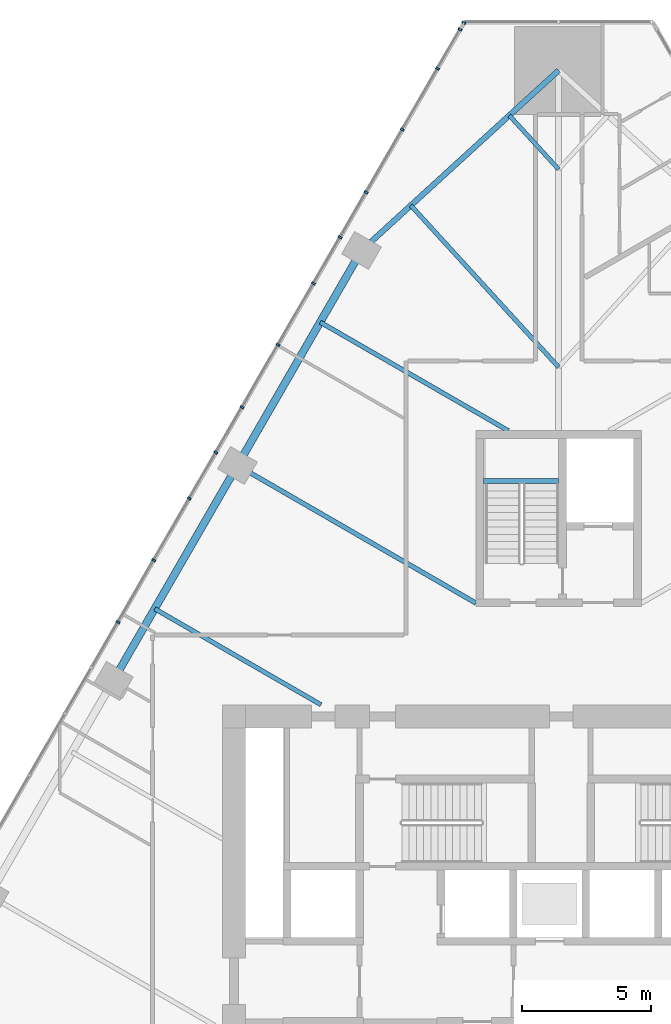
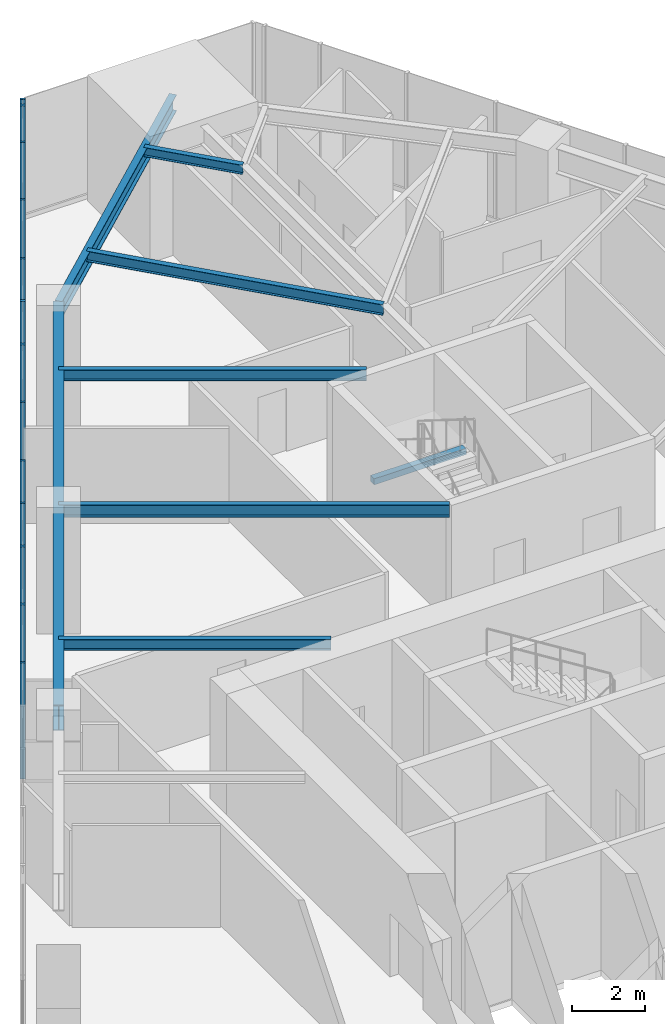
# One storey, part 10 of 29: 13 members, 8 beams, 1 element without a shape of its own.
"""IFC4 building model written with IfcOpenShell, lengths in metres."""

from ifc_helpers import new_model, si_unit, direction, frame, origin, origin_2d, place, context, subcontext, project, spatial, rectangle, i_section, extrude, material, layer, layer_set, material_profile, profile_set, type_object, element, aggregate, save


model = new_model("IFC4")

# Units and contexts
model_context = context("Model", 3, precision=1e-05, world=origin(), true_north=direction((0.0, 1.0)))
body_context = subcontext(model_context, "Body", "Model", "MODEL_VIEW")
ifc_project = project(units=[si_unit("LENGTHUNIT", "METRE"), si_unit("AREAUNIT", "SQUARE_METRE"), si_unit("VOLUMEUNIT", "CUBIC_METRE"), si_unit("PLANEANGLEUNIT", "RADIAN"), si_unit("MASSUNIT", "GRAM", prefix="KILO")], contexts=[model_context])

# Site, building, storey
site_placement = place(None, origin())
site = spatial("IfcSite", under=ifc_project, at=site_placement, CompositionType="ELEMENT")
building_placement = place(site_placement, origin())
building = spatial("IfcBuilding", under=site, at=building_placement, Name="Firuza Gate Tower and Library", CompositionType="ELEMENT")
storey_placement = place(building_placement, frame((0.0, 0.0, 44.199951171875)))
storey = spatial("IfcBuildingStorey", under=building, at=storey_placement, Name="L09", CompositionType="ELEMENT", Elevation=44.199951171875)

# Curtain wall, members
ifc_material_1 = material(Name="Aluminium 6063-T6", Category="aluminium")
ifc_layer = layer(ifc_material_1, 0.14990234375)
ifc_layer_set = layer_set([ifc_layer], Name="Unitised curtain wall, offices")
curtain_wall_type = type_object("IfcCurtainWallType", Name="Unitised curtain wall, offices", PredefinedType="NOTDEFINED", material=ifc_layer_set)
curtain_wall_placement = place(storey_placement, origin())
curtain_wall = element("IfcCurtainWall", 1, at=curtain_wall_placement, inside=storey, type_object=curtain_wall_type, Name="CW1 L09 W face", PredefinedType="NOTDEFINED")
ifc_material_2 = material(Name="Aluminium 6063-T6", Category="aluminium")
ifc_material_profile_1 = material_profile(ifc_material_2, rectangle(XDim=0.14990234375, YDim=0.080078125, at=origin_2d()))
ifc_profile_set_1 = profile_set([ifc_material_profile_1], Name="Aluminium 6063-T6")
member_type = type_object("IfcMemberType", Name="Curtain wall mullion 80x150", PredefinedType="MULLION", material=ifc_profile_set_1)
member_1_placement = place(storey_placement, frame((71.336669921875, 110.374267578125, 0.150146484375), z_axis=(0.0, 0.0, 1.0), x_axis=(0.866025403784, -0.5, 0.0)))
member_1 = element("IfcMember", 2, at=member_1_placement, type_object=member_type, Name="Mullion", PredefinedType="MULLION", context=body_context, shape_type="SweptSolid", body=[
    extrude(rectangle(XDim=0.14990234375, YDim=0.080078125, at=origin_2d()), origin(), (0.0, 0.0, 1.0), 3.849853515625),
])
member_2_placement = place(storey_placement, frame((68.953125, 106.24560546875, 0.150146484375), z_axis=(0.0, 0.0, 1.0), x_axis=(0.866025403784, -0.5, 0.0)))
member_2 = element("IfcMember", 3, at=member_2_placement, type_object=member_type, Name="Mullion", PredefinedType="MULLION", context=body_context, shape_type="SweptSolid", body=[
    extrude(rectangle(XDim=0.14990234375, YDim=0.080078125, at=origin_2d()), origin(), (0.0, 0.0, 1.0), 3.849853515625),
])
member_3_placement = place(storey_placement, frame((66.549560546875, 102.08251953125, 0.150146484375), z_axis=(0.0, 0.0, 1.0), x_axis=(0.866025403784, -0.5, 0.0)))
member_3 = element("IfcMember", 4, at=member_3_placement, type_object=member_type, Name="Mullion", PredefinedType="MULLION", context=body_context, shape_type="SweptSolid", body=[
    extrude(rectangle(XDim=0.14990234375, YDim=0.080078125, at=origin_2d()), origin(), (0.0, 0.0, 1.0), 3.849853515625),
])
member_4_placement = place(storey_placement, frame((64.145751953125, 97.91943359375, 0.150146484375), z_axis=(0.0, 0.0, 1.0), x_axis=(0.866025403784, -0.5, 0.0)))
member_4 = element("IfcMember", 5, at=member_4_placement, type_object=member_type, Name="Mullion", PredefinedType="MULLION", context=body_context, shape_type="SweptSolid", body=[
    extrude(rectangle(XDim=0.14990234375, YDim=0.080078125, at=origin_2d()), origin(), (0.0, 0.0, 1.0), 3.849853515625),
])
member_5_placement = place(storey_placement, frame((61.7421875, 93.756103515625, 0.150146484375), z_axis=(0.0, 0.0, 1.0), x_axis=(0.866025403784, -0.5, 0.0)))
member_5 = element("IfcMember", 6, at=member_5_placement, type_object=member_type, Name="Mullion", PredefinedType="MULLION", context=body_context, shape_type="SweptSolid", body=[
    extrude(rectangle(XDim=0.14990234375, YDim=0.080078125, at=origin_2d()), origin(), (0.0, 0.0, 1.0), 3.849853515625),
])
member_6_placement = place(storey_placement, frame((59.338623046875, 89.593017578125, 0.150146484375), z_axis=(0.0, 0.0, 1.0), x_axis=(0.866025403784, -0.5, 0.0)))
member_6 = element("IfcMember", 7, at=member_6_placement, type_object=member_type, Name="Mullion", PredefinedType="MULLION", context=body_context, shape_type="SweptSolid", body=[
    extrude(rectangle(XDim=0.14990234375, YDim=0.080078125, at=origin_2d()), origin(), (0.0, 0.0, 1.0), 3.849853515625),
])
member_7_placement = place(storey_placement, frame((71.191162109375, 110.1220703125, 0.150146484375), z_axis=(0.0, 0.0, 1.0), x_axis=(0.866025403784, -0.5, 0.0)))
member_7 = element("IfcMember", 8, at=member_7_placement, type_object=member_type, Name="Mullion", PredefinedType="MULLION", context=body_context, shape_type="SweptSolid", body=[
    extrude(rectangle(XDim=0.14990234375, YDim=0.080078125, at=origin_2d()), origin(), (0.0, 0.0, 1.0), 3.849853515625),
])
member_8_placement = place(storey_placement, frame((70.316162109375, 108.606689453125, 0.150146484375), z_axis=(0.0, 0.0, 1.0), x_axis=(0.866025403784, -0.5, 0.0)))
member_8 = element("IfcMember", 9, at=member_8_placement, type_object=member_type, Name="Mullion", PredefinedType="MULLION", context=body_context, shape_type="SweptSolid", body=[
    extrude(rectangle(XDim=0.14990234375, YDim=0.080078125, at=origin_2d()), origin(), (0.0, 0.0, 1.0), 3.849853515625),
])
member_9_placement = place(storey_placement, frame((67.553955078125, 103.822021484375, 0.150146484375), z_axis=(0.0, 0.0, 1.0), x_axis=(0.866025403784, -0.5, 0.0)))
member_9 = element("IfcMember", 10, at=member_9_placement, type_object=member_type, Name="Mullion", PredefinedType="MULLION", context=body_context, shape_type="SweptSolid", body=[
    extrude(rectangle(XDim=0.14990234375, YDim=0.080078125, at=origin_2d()), origin(), (0.0, 0.0, 1.0), 3.849853515625),
])
member_10_placement = place(storey_placement, frame((65.516357421875, 100.29296875, 0.150146484375), z_axis=(0.0, 0.0, 1.0), x_axis=(0.866025403784, -0.5, 0.0)))
member_10 = element("IfcMember", 11, at=member_10_placement, type_object=member_type, Name="Mullion", PredefinedType="MULLION", context=body_context, shape_type="SweptSolid", body=[
    extrude(rectangle(XDim=0.14990234375, YDim=0.080078125, at=origin_2d()), origin(), (0.0, 0.0, 1.0), 3.849853515625),
])
member_11_placement = place(storey_placement, frame((62.75390625, 95.50830078125, 0.150146484375), z_axis=(0.0, 0.0, 1.0), x_axis=(0.866025403784, -0.5, 0.0)))
member_11 = element("IfcMember", 12, at=member_11_placement, type_object=member_type, Name="Mullion", PredefinedType="MULLION", context=body_context, shape_type="SweptSolid", body=[
    extrude(rectangle(XDim=0.14990234375, YDim=0.080078125, at=origin_2d()), origin(), (0.0, 0.0, 1.0), 3.849853515625),
])
member_12_placement = place(storey_placement, frame((60.71630859375, 91.97900390625, 0.150146484375), z_axis=(0.0, 0.0, 1.0), x_axis=(0.866025403784, -0.5, 0.0)))
member_12 = element("IfcMember", 13, at=member_12_placement, type_object=member_type, Name="Mullion", PredefinedType="MULLION", context=body_context, shape_type="SweptSolid", body=[
    extrude(rectangle(XDim=0.14990234375, YDim=0.080078125, at=origin_2d()), origin(), (0.0, 0.0, 1.0), 3.849853515625),
])
member_13_placement = place(storey_placement, frame((57.953857421875, 87.1943359375, 0.150146484375), z_axis=(0.0, 0.0, 1.0), x_axis=(0.866025403784, -0.5, 0.0)))
member_13 = element("IfcMember", 14, at=member_13_placement, type_object=member_type, Name="Mullion", PredefinedType="MULLION", context=body_context, shape_type="SweptSolid", body=[
    extrude(rectangle(XDim=0.14990234375, YDim=0.080078125, at=origin_2d()), origin(), (0.0, 0.0, 1.0), 3.849853515625),
])
aggregate(curtain_wall, [member_1, member_2, member_3, member_4, member_5, member_6, member_7, member_8, member_9, member_10, member_11, member_12, member_13])

# Beams
ifc_material_3 = material(Name="Concrete C35/45", Category="concrete")
ifc_material_profile_2 = material_profile(ifc_material_3, rectangle(XDim=0.199951171875, YDim=0.199951171875, at=origin_2d()))
ifc_profile_set_2 = profile_set([ifc_material_profile_2], Name="Concrete C35/45")
beam_type_1 = type_object("IfcBeamType", Name="Stair landing bearer 200x200", PredefinedType="BEAM", material=ifc_profile_set_2)
beam_1_placement = place(storey_placement, frame((75.0, 92.64990234375, 1.800048828125), z_axis=(-1.0, 0.0, 0.0), x_axis=(0.0, -1.0, 0.0)))
element("IfcBeam", 15, at=beam_1_placement, inside=storey, type_object=beam_type_1, Name="Landing bearer L09 stair 3", PredefinedType="BEAM", context=body_context, shape_type="SweptSolid", body=[
    extrude(rectangle(XDim=0.199951171875, YDim=0.199951171875, at=origin_2d()), origin(), (0.0, 0.0, 1.0), 2.89990234375),
])
ifc_material_4 = material(Name="Steel S355", Category="steel")
ifc_material_profile_3 = material_profile(ifc_material_4, i_section(OverallWidth=0.1650390625, OverallDepth=0.31005859375, WebThickness=0.005859375, FlangeThickness=0.009765625, at=origin_2d()))
ifc_profile_set_3 = profile_set([ifc_material_profile_3], Name="Steel S355")
beam_type_2 = type_object("IfcBeamType", Name="W310x39 Floor beam", PredefinedType="JOIST", material=ifc_profile_set_3)
beam_2_placement = place(storey_placement, frame((73.094970703125, 106.79296875, 3.844970703125), z_axis=(0.674533736892, -0.738244023203, 0.0), x_axis=(0.738244023203, 0.674533736892, 0.0)))
element("IfcBeam", 16, at=beam_2_placement, inside=storey, type_object=beam_type_2, Name="Floor beam L09 s70", PredefinedType="JOIST", context=body_context, shape_type="SweptSolid", body=[
    extrude(i_section(OverallWidth=0.1650390625, OverallDepth=0.31005859375, WebThickness=0.005859375, FlangeThickness=0.009765625, at=origin_2d()), origin(), (0.0, 0.0, 1.0), 2.82421875),
])
ifc_material_5 = material(Name="Steel S355", Category="steel")
ifc_material_profile_4 = material_profile(ifc_material_5, i_section(OverallWidth=0.1708984375, OverallDepth=0.35498046875, WebThickness=0.007080078125, FlangeThickness=0.01171875, at=origin_2d()))
ifc_profile_set_4 = profile_set([ifc_material_profile_4], Name="Steel S355")
beam_type_3 = type_object("IfcBeamType", Name="W360x51 Floor beam", PredefinedType="JOIST", material=ifc_profile_set_4)
beam_3_placement = place(storey_placement, frame((69.28466796875, 103.31103515625, 3.822509765625), z_axis=(0.674578139258, -0.7382034503, 0.0), x_axis=(0.7382034503, 0.674578139258, 0.0)))
element("IfcBeam", 17, at=beam_3_placement, inside=storey, type_object=beam_type_3, Name="Floor beam L09 s71", PredefinedType="JOIST", context=body_context, shape_type="SweptSolid", body=[
    extrude(i_section(OverallWidth=0.1708984375, OverallDepth=0.35498046875, WebThickness=0.007080078125, FlangeThickness=0.01171875, at=origin_2d()), origin(), (0.0, 0.0, 1.0), 8.472412109375),
])
beam_4_placement = place(storey_placement, frame((65.779541015625, 98.798828125, 3.822509765625), z_axis=(0.866019517829, -0.500010194636, 0.0), x_axis=(0.500010194636, 0.866019517829, 0.0)))
element("IfcBeam", 18, at=beam_4_placement, inside=storey, type_object=beam_type_3, Name="Floor beam L09 s80", PredefinedType="JOIST", context=body_context, shape_type="SweptSolid", body=[
    extrude(i_section(OverallWidth=0.1708984375, OverallDepth=0.35498046875, WebThickness=0.007080078125, FlangeThickness=0.01171875, at=origin_2d()), origin(), (0.0, 0.0, 1.0), 8.397216796875),
])
beam_5_placement = place(storey_placement, frame((59.37939453125, 87.713623046875, 3.822509765625), z_axis=(0.866023556141, -0.500003200199, 0.0), x_axis=(0.500003200199, 0.866023556141, 0.0)))
element("IfcBeam", 19, at=beam_5_placement, inside=storey, type_object=beam_type_3, Name="Floor beam L09 s82", PredefinedType="JOIST", context=body_context, shape_type="SweptSolid", body=[
    extrude(i_section(OverallWidth=0.1708984375, OverallDepth=0.35498046875, WebThickness=0.007080078125, FlangeThickness=0.01171875, at=origin_2d()), origin(), (0.0, 0.0, 1.0), 7.42724609375),
])
ifc_material_6 = material(Name="Steel S355", Category="steel")
ifc_material_profile_5 = material_profile(ifc_material_6, i_section(OverallWidth=0.177978515625, OverallDepth=0.406982421875, WebThickness=0.0078125, FlangeThickness=0.0126953125, at=origin_2d()))
ifc_profile_set_5 = profile_set([ifc_material_profile_5], Name="Steel S355")
beam_type_4 = type_object("IfcBeamType", Name="W410x60 Floor beam", PredefinedType="JOIST", material=ifc_profile_set_5)
beam_6_placement = place(storey_placement, frame((62.579345703125, 93.256103515625, 3.796630859375), z_axis=(0.866029027547, -0.499993723407, 0.0), x_axis=(0.499993723407, 0.866029027547, 0.0)))
element("IfcBeam", 20, at=beam_6_placement, inside=storey, type_object=beam_type_4, Name="Floor beam L09 s81", PredefinedType="JOIST", context=body_context, shape_type="SweptSolid", body=[
    extrude(i_section(OverallWidth=0.177978515625, OverallDepth=0.406982421875, WebThickness=0.0078125, FlangeThickness=0.0126953125, at=origin_2d()), origin(), (0.0, 0.0, 1.0), 10.647216796875),
])
ifc_material_7 = material(Name="Steel S355", Category="steel")
ifc_material_profile_6 = material_profile(ifc_material_7, i_section(OverallWidth=0.212890625, OverallDepth=0.5390625, WebThickness=0.01171875, FlangeThickness=0.018798828125, at=origin_2d()))
ifc_profile_set_6 = profile_set([ifc_material_profile_6], Name="Steel S355")
beam_type_5 = type_object("IfcBeamType", Name="W530x109 Edge beam", PredefinedType="SPANDREL", material=ifc_profile_set_6)
beam_7_placement = place(storey_placement, frame((75.0, 108.533935546875, 3.73046875), z_axis=(-0.738199730284, -0.674582210118, 0.0), x_axis=(0.674582210118, -0.738199730284, 0.0)))
element("IfcBeam", 21, at=beam_7_placement, inside=storey, type_object=beam_type_5, Name="Edge beam L09 e70", PredefinedType="SPANDREL", context=body_context, shape_type="SweptSolid", body=[
    extrude(i_section(OverallWidth=0.212890625, OverallDepth=0.5390625, WebThickness=0.01171875, FlangeThickness=0.018798828125, at=origin_2d()), origin(), (0.0, 0.0, 1.0), 10.3232421875),
])
ifc_material_8 = material(Name="Steel S355", Category="steel")
ifc_material_profile_7 = material_profile(ifc_material_8, i_section(OverallWidth=0.2919921875, OverallDepth=0.8349609375, WebThickness=0.013916015625, FlangeThickness=0.018798828125, at=origin_2d()))
ifc_profile_set_7 = profile_set([ifc_material_profile_7], Name="Steel S355")
beam_type_6 = type_object("IfcBeamType", Name="W840x176 Edge beam", PredefinedType="SPANDREL", material=ifc_profile_set_7)
beam_8_placement = place(storey_placement, frame((67.37939453125, 101.570068359375, 3.58251953125), z_axis=(-0.499994327668, -0.866028678682, 0.0), x_axis=(0.866028678682, -0.499994327668, 0.0)))
element("IfcBeam", 22, at=beam_8_placement, inside=storey, type_object=beam_type_6, Name="Edge beam L09 e80", PredefinedType="SPANDREL", context=body_context, shape_type="SweptSolid", body=[
    extrude(i_section(OverallWidth=0.2919921875, OverallDepth=0.8349609375, WebThickness=0.013916015625, FlangeThickness=0.018798828125, at=origin_2d()), origin(), (0.0, 0.0, 1.0), 19.199951171875),
])

save(model, "model.ifc")
